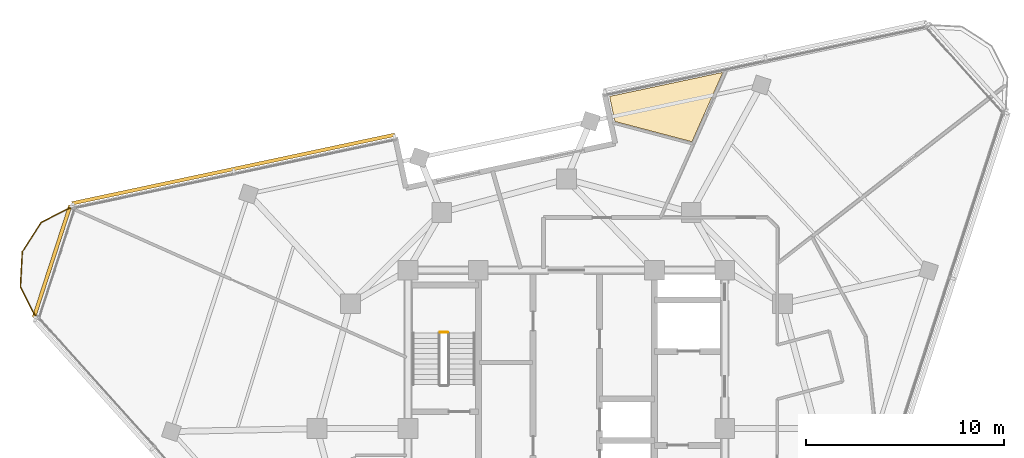
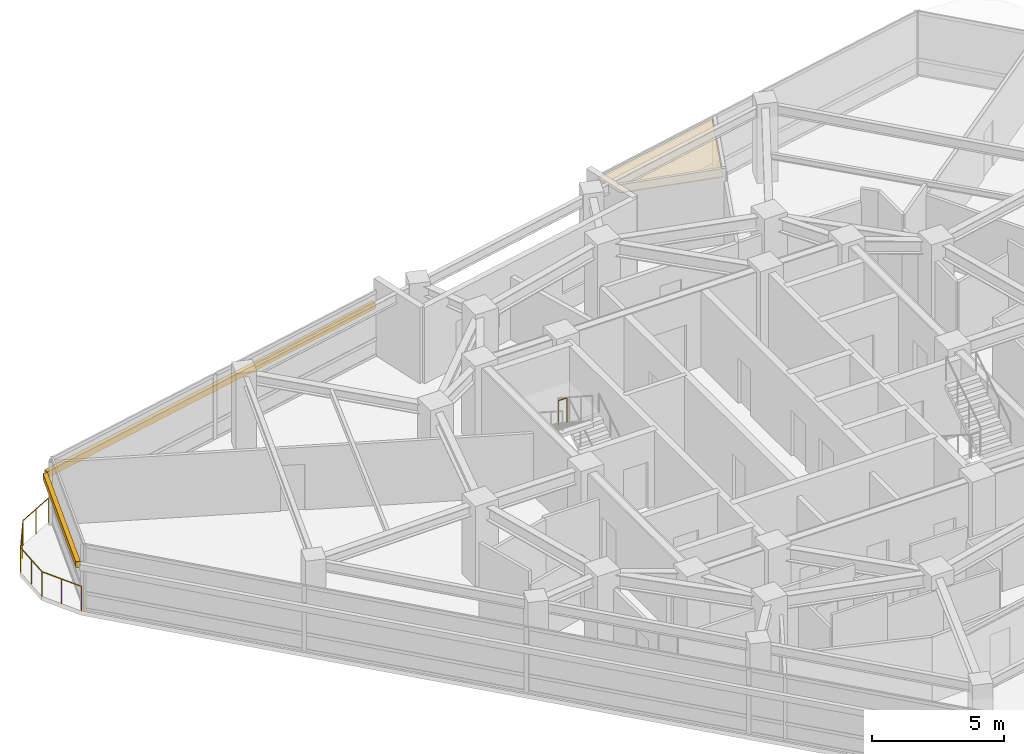
# One storey, part 14 of 15: 2 railings, 2 shading devices, 1 covering.
"""IFC4 building model written with IfcOpenShell, lengths in metres."""

from ifc_helpers import new_model, si_unit, direction, frame, origin, origin_2d, place, context, subcontext, project, spatial, polyline, rectangle, circle, outline, extrude, material, layer, layer_set, type_object, element, save


model = new_model("IFC4")

# Units and contexts
model_context = context("Model", 3, precision=1e-05, world=origin(), true_north=direction((0.0, 1.0)))
body_context = subcontext(model_context, "Body", "Model", "MODEL_VIEW")
ifc_project = project(units=[si_unit("LENGTHUNIT", "METRE"), si_unit("AREAUNIT", "SQUARE_METRE"), si_unit("VOLUMEUNIT", "CUBIC_METRE"), si_unit("PLANEANGLEUNIT", "RADIAN"), si_unit("MASSUNIT", "GRAM", prefix="KILO")], contexts=[model_context])

# Site, building, storey
site_placement = place(None, origin())
site = spatial("IfcSite", under=ifc_project, at=site_placement, CompositionType="ELEMENT")
building_placement = place(site_placement, origin())
building = spatial("IfcBuilding", under=site, at=building_placement, Name="Terralouvre Media Tower", CompositionType="ELEMENT")
storey_placement = place(building_placement, frame((0.0, 0.0, 298.0)))
storey = spatial("IfcBuildingStorey", under=building, at=storey_placement, Name="L77", CompositionType="ELEMENT", Elevation=298.0)

# Covering
ifc_material_1 = material(Name="Perforated aluminium acoustic ceiling baffle", Category="aluminium")
ifc_layer_1 = layer(ifc_material_1, 0.0400390625, Name="Perforated Acoustic Metal Tile Ceiling CL-AC1")
ifc_layer_set_1 = layer_set([ifc_layer_1], Name="Perforated aluminium acoustic ceiling baffle")
covering_type = type_object("IfcCoveringType", Name="Perforated Acoustic Metal Tile Ceiling CL-AC1", PredefinedType="CEILING", material=ifc_layer_set_1)
covering_placement = place(storey_placement, frame((0.0, 0.0, 2.97998046875), z_axis=(0.0, 0.0, 1.0), x_axis=(0.309016994375, 0.951056516295, 0.0)))
element("IfcCovering", 1, at=covering_placement, inside=storey, type_object=covering_type, Name="L77 Barista Coffee Tea Pantry 8 Acoustic Ceiling", PredefinedType="CEILING", context=body_context, shape_type="SweptSolid", body=[
    extrude(outline(polyline([(19.55322265625, -1.9541015625), (16.62841796875, 3.111083984375), (15.507568359375, 2.463623046875), (15.736572265625, -1.553466796875), (19.55322265625, -1.9541015625)])), origin(), (0.0, 0.0, 1.0), 0.0400390625),
])

# Railings
ifc_material_2 = material(Name="Stainless steel 316 handrail and balustrade", Category="steel")
ifc_layer_2 = layer(ifc_material_2, 0.06005859375, Name="Roof Edge Safety Guardrail GR-ROOF1")
ifc_layer_set_2 = layer_set([ifc_layer_2], Name="Stainless steel 316 handrail and balustrade")
railing_type_1 = type_object("IfcRailingType", Name="Roof Edge Safety Guardrail GR-ROOF1", PredefinedType="GUARDRAIL", material=ifc_layer_set_2)
railing_1_placement = place(storey_placement, frame((-24.927490234375, 11.230224609375, 0.0)))
element("IfcRailing", 2, at=railing_1_placement, inside=storey, type_object=railing_type_1, Name="L77 Wind-Corner Perimeter Safety Guardrail C2", PredefinedType="GUARDRAIL", context=body_context, shape_type="SweptSolid", body=[
    extrude(circle(Radius=0.02099609375, at=origin_2d()), frame((0.0, 0.0, 1.12890625), z_axis=(-0.891111697267, -0.453784026817, 0.0), x_axis=(0.453784026817, -0.891111697267, 0.0)), (0.0, 0.0, 1.0), 1.7802734375),
    extrude(circle(Radius=0.02099609375, at=origin_2d()), frame((-1.58642578125, -0.807861328125, 1.12890625), z_axis=(-0.544752056661, -0.838597160002, 0.0), x_axis=(0.838597160002, -0.544752056661, 0.0)), (0.0, 0.0, 1.0), 1.77978515625),
    extrude(circle(Radius=0.02099609375, at=origin_2d()), frame((-2.555908203125, -2.30029296875, 1.12890625), z_axis=(-0.052126837836, -0.998640472231, 0.0), x_axis=(0.998640472231, -0.052126837836, 0.0)), (0.0, 0.0, 1.0), 1.77978515625),
    extrude(circle(Radius=0.02099609375, at=origin_2d()), frame((-2.648681640625, -4.07763671875, 1.12890625), z_axis=(0.454221597143, -0.890888736425, 0.0), x_axis=(0.890888736425, 0.454221597143, 0.0)), (0.0, 0.0, 1.0), 1.7802734375),
    extrude(circle(Radius=0.01904296875, at=origin_2d()), origin(), (0.0, 0.0, 1.0), 1.10791015625),
    extrude(circle(Radius=0.01904296875, at=origin_2d()), frame((-0.793212890625, -0.40380859375, 0.0)), (0.0, 0.0, 1.0), 1.10791015625),
    extrude(circle(Radius=0.01904296875, at=origin_2d()), frame((-1.58642578125, -0.807861328125, 0.0)), (0.0, 0.0, 1.0), 1.10791015625),
    extrude(circle(Radius=0.01904296875, at=origin_2d()), frame((-2.0712890625, -1.55419921875, 0.0)), (0.0, 0.0, 1.0), 1.10791015625),
    extrude(circle(Radius=0.01904296875, at=origin_2d()), frame((-2.555908203125, -2.30029296875, 0.0)), (0.0, 0.0, 1.0), 1.10791015625),
    extrude(circle(Radius=0.01904296875, at=origin_2d()), frame((-2.602294921875, -3.18896484375, 0.0)), (0.0, 0.0, 1.0), 1.10791015625),
    extrude(circle(Radius=0.01904296875, at=origin_2d()), frame((-2.648681640625, -4.07763671875, 0.0)), (0.0, 0.0, 1.0), 1.10791015625),
    extrude(circle(Radius=0.01904296875, at=origin_2d()), frame((-2.244384765625, -4.87060546875, 0.0)), (0.0, 0.0, 1.0), 1.10791015625),
    extrude(circle(Radius=0.01904296875, at=origin_2d()), frame((-1.840087890625, -5.66357421875, 0.0)), (0.0, 0.0, 1.0), 1.10791015625),
])
ifc_material_3 = material(Name="Stainless steel 316 handrail and balustrade", Category="steel")
ifc_layer_3 = layer(ifc_material_3, 0.050048828125, Name="Stairwell Safety Guardrail GR-INT1")
ifc_layer_set_3 = layer_set([ifc_layer_3], Name="Stainless steel 316 handrail and balustrade")
railing_type_2 = type_object("IfcRailingType", Name="Stairwell Safety Guardrail GR-INT1", PredefinedType="GUARDRAIL", material=ifc_layer_set_3)
railing_2_placement = place(storey_placement, frame((-6.0, 4.8701171875, 1.85009765625)))
element("IfcRailing", 3, at=railing_2_placement, inside=storey, type_object=railing_type_2, Name="L77 ST-01 stair guard 2", PredefinedType="GUARDRAIL", context=body_context, shape_type="SweptSolid", body=[
    extrude(circle(Radius=0.02392578125, at=origin_2d()), frame((0.0, 0.0, 1.1259765625), z_axis=(-1.0, 0.0, 0.0), x_axis=(0.0, -1.0, 0.0)), (0.0, 0.0, 1.0), 0.3798828125),
    extrude(circle(Radius=0.02099609375, at=origin_2d()), origin(), (0.0, 0.0, 1.0), 1.101806640625),
    extrude(circle(Radius=0.02099609375, at=origin_2d()), frame((-0.3798828125, 0.0, 0.0)), (0.0, 0.0, 1.0), 1.101806640625),
])

# Shading devices
ifc_material_4 = material(Name="Extruded terracotta baguette sunshade louvres", Category="masonry")
shading_device_type = type_object("IfcShadingDeviceType", Name="Terracotta Baguette Sunshade Louvre Screen TB-LV1", PredefinedType="USERDEFINED", material=ifc_material_4)
shading_device_1_placement = place(storey_placement, frame((-16.822265625, 13.105224609375, 2.02392578125), z_axis=(0.0, 0.0, 1.0), x_axis=(-0.978147684351, -0.20791129743, 0.0)))
element("IfcShadingDevice", 4, at=shading_device_1_placement, inside=storey, type_object=shading_device_type, Name="CW-L77-F1R Terracotta Baguette Sunshade Louvre", ObjectType="BAGUETTE", PredefinedType="USERDEFINED", context=body_context, shape_type="SweptSolid", body=[
    extrude(rectangle(XDim=16.659912109375, YDim=0.179931640625, at=origin_2d()), origin(), (0.0, 0.0, 1.0), 0.280029296875),
])
shading_device_2_placement = place(storey_placement, frame((-25.975830078125, 8.440185546875, 2.02392578125), z_axis=(0.0, 0.0, 1.0), x_axis=(-0.30901654693, -0.951056661679, 0.0)))
element("IfcShadingDevice", 5, at=shading_device_2_placement, inside=storey, type_object=shading_device_type, Name="CW-L77-C2 Terracotta Baguette Sunshade Louvre", ObjectType="BAGUETTE", PredefinedType="USERDEFINED", context=body_context, shape_type="SweptSolid", body=[
    extrude(rectangle(XDim=5.958251953125, YDim=0.179931640625, at=origin_2d()), origin(), (0.0, 0.0, 1.0), 0.280029296875),
])

save(model, "model.ifc")
